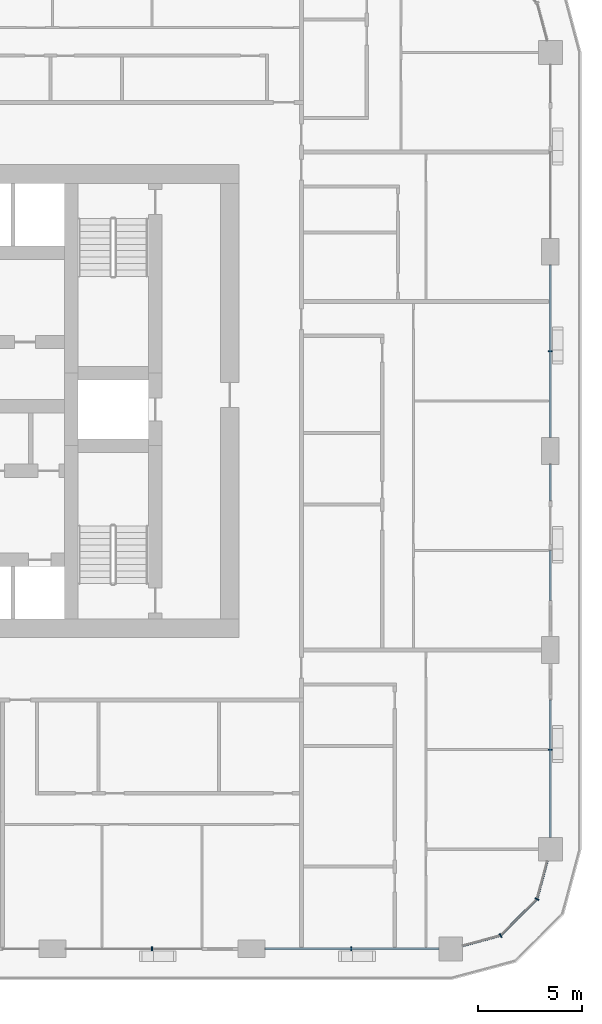
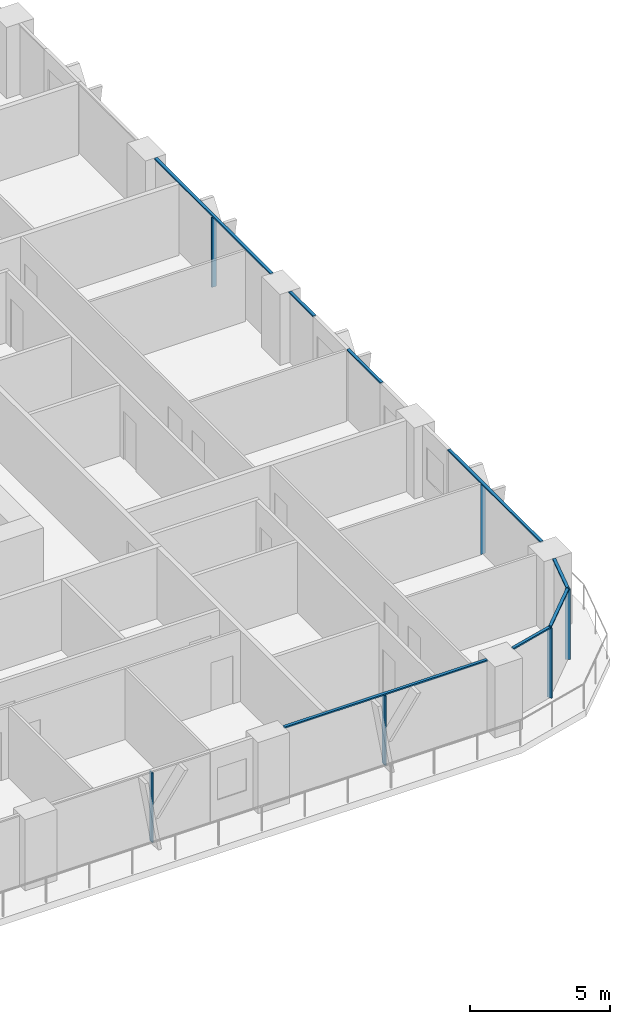
# One storey, part 4 of 21: 14 members, 6 elements without a shape of their own.
"""IFC4 building model written with IfcOpenShell, lengths in metres."""

from ifc_helpers import new_model, si_unit, direction, frame, origin, origin_2d, place, context, subcontext, project, spatial, rectangle, extrude, material, layer, layer_set, material_profile, profile_set, type_object, element, aggregate, save


model = new_model("IFC4")

# Units and contexts
model_context = context("Model", 3, precision=1e-05, world=origin(), true_north=direction((0.0, 1.0)))
body_context = subcontext(model_context, "Body", "Model", "MODEL_VIEW")
ifc_project = project(units=[si_unit("LENGTHUNIT", "METRE"), si_unit("AREAUNIT", "SQUARE_METRE"), si_unit("VOLUMEUNIT", "CUBIC_METRE"), si_unit("PLANEANGLEUNIT", "RADIAN"), si_unit("MASSUNIT", "GRAM", prefix="KILO")], contexts=[model_context])

# Site, building, storey
site_placement = place(None, origin())
site = spatial("IfcSite", under=ifc_project, at=site_placement, CompositionType="ELEMENT")
building_placement = place(site_placement, origin())
building = spatial("IfcBuilding", under=site, at=building_placement, Name="Madar Terraces", CompositionType="ELEMENT")
storey_placement = place(building_placement, frame((0.0, 0.0, 80.300048828125)))
storey = spatial("IfcBuildingStorey", under=building, at=storey_placement, Name="L20", CompositionType="ELEMENT", Elevation=80.300048828125)

# Curtain wall, member
ifc_material_1 = material(Name="Glass, ceramic frit dark grey, with black aluminium frame", Category="aluminium")
ifc_layer = layer(ifc_material_1, 0.199951171875)
ifc_layer_set = layer_set([ifc_layer], Name="Facade curtain wall, fritted glass")
curtain_wall_type = type_object("IfcCurtainWallType", Name="Facade curtain wall, fritted glass", PredefinedType="NOTDEFINED", material=ifc_layer_set)
curtain_wall_1_placement = place(storey_placement, origin())
curtain_wall_1 = element("IfcCurtainWall", 1, at=curtain_wall_1_placement, inside=storey, type_object=curtain_wall_type, Name="Outer skin curtain wall south bay 4", PredefinedType="NOTDEFINED")
ifc_material_2 = material(Name="Aluminium, black anodised", Category="aluminium")
ifc_material_profile_1 = material_profile(ifc_material_2, rectangle(XDim=0.199951171875, YDim=0.06005859375, at=origin_2d()), Name="Facade mullion 60x200")
ifc_profile_set_1 = profile_set([ifc_material_profile_1], Name="Aluminium, black anodised")
member_type_1 = type_object("IfcMemberType", Name="Facade mullion 60x200", PredefinedType="MULLION", material=ifc_profile_set_1)
member_1_placement = place(storey_placement, frame((43.199951171875, 0.0, 0.0), z_axis=(0.0, 0.0, 1.0), x_axis=(0.0, 1.0, 0.0)))
member_1 = element("IfcMember", 2, at=member_1_placement, type_object=member_type_1, Name="Mullion 1", PredefinedType="MULLION", context=body_context, shape_type="SweptSolid", body=[
    extrude(rectangle(XDim=0.199951171875, YDim=0.06005859375, at=origin_2d()), origin(), (0.0, 0.0, 1.0), 3.0400390625),
])
aggregate(curtain_wall_1, [member_1])

curtain_wall_2_placement = place(storey_placement, origin())
curtain_wall_2 = element("IfcCurtainWall", 3, at=curtain_wall_2_placement, inside=storey, type_object=curtain_wall_type, Name="Outer skin curtain wall south bay 5", PredefinedType="NOTDEFINED")
member_2_placement = place(storey_placement, frame((52.800048828125, 0.0, 0.0), z_axis=(0.0, 0.0, 1.0), x_axis=(0.0, 1.0, 0.0)))
member_2 = element("IfcMember", 4, at=member_2_placement, type_object=member_type_1, Name="Mullion 1", PredefinedType="MULLION", context=body_context, shape_type="SweptSolid", body=[
    extrude(rectangle(XDim=0.199951171875, YDim=0.06005859375, at=origin_2d()), origin(), (0.0, 0.0, 1.0), 3.0400390625),
])

curtain_wall_3_placement = place(storey_placement, origin())
curtain_wall_3 = element("IfcCurtainWall", 5, at=curtain_wall_3_placement, inside=storey, type_object=curtain_wall_type, Name="Outer skin curtain wall east bay 1", PredefinedType="NOTDEFINED")
member_3_placement = place(storey_placement, frame((62.39990234375, 9.60009765625, 0.0), z_axis=(0.0, 0.0, 1.0), x_axis=(-1.0, 0.0, 0.0)))
member_3 = element("IfcMember", 6, at=member_3_placement, type_object=member_type_1, Name="Mullion 1", PredefinedType="MULLION", context=body_context, shape_type="SweptSolid", body=[
    extrude(rectangle(XDim=0.199951171875, YDim=0.06005859375, at=origin_2d()), origin(), (0.0, 0.0, 1.0), 3.0400390625),
])

curtain_wall_4_placement = place(storey_placement, origin())
curtain_wall_4 = element("IfcCurtainWall", 7, at=curtain_wall_4_placement, inside=storey, type_object=curtain_wall_type, Name="Outer skin curtain wall east bay 3", PredefinedType="NOTDEFINED")
member_4_placement = place(storey_placement, frame((62.39990234375, 28.800048828125, 0.0), z_axis=(0.0, 0.0, 1.0), x_axis=(-1.0, 0.0, 0.0)))
member_4 = element("IfcMember", 8, at=member_4_placement, type_object=member_type_1, Name="Mullion 1", PredefinedType="MULLION", context=body_context, shape_type="SweptSolid", body=[
    extrude(rectangle(XDim=0.199951171875, YDim=0.06005859375, at=origin_2d()), origin(), (0.0, 0.0, 1.0), 3.0400390625),
])

# Curtain wall, members
curtain_wall_5_placement = place(storey_placement, origin())
curtain_wall_5 = element("IfcCurtainWall", 9, at=curtain_wall_5_placement, inside=storey, type_object=curtain_wall_type, Name="Outer skin curtain wall south-east corner", PredefinedType="NOTDEFINED")
member_5_placement = place(storey_placement, frame((60.0, 0.64306640625, 0.0), z_axis=(0.0, 0.0, 1.0), x_axis=(-0.499999989586, 0.866025409797, 0.0)))
member_5 = element("IfcMember", 10, at=member_5_placement, type_object=member_type_1, Name="Mullion 1", PredefinedType="MULLION", context=body_context, shape_type="SweptSolid", body=[
    extrude(rectangle(XDim=0.199951171875, YDim=0.06005859375, at=origin_2d()), origin(), (0.0, 0.0, 1.0), 3.0400390625),
])
member_6_placement = place(storey_placement, frame((61.7568359375, 2.39990234375, 0.0), z_axis=(0.0, 0.0, 1.0), x_axis=(-0.866025409797, 0.499999989586, 0.0)))
member_6 = element("IfcMember", 11, at=member_6_placement, type_object=member_type_1, Name="Mullion 2", PredefinedType="MULLION", context=body_context, shape_type="SweptSolid", body=[
    extrude(rectangle(XDim=0.199951171875, YDim=0.06005859375, at=origin_2d()), origin(), (0.0, 0.0, 1.0), 3.0400390625),
])

# Member
ifc_material_3 = material(Name="Aluminium, black anodised", Category="aluminium")
ifc_material_profile_2 = material_profile(ifc_material_3, rectangle(XDim=0.1201171875, YDim=0.06005859375, at=origin_2d()), Name="Facade transom 60x120")
ifc_profile_set_2 = profile_set([ifc_material_profile_2], Name="Aluminium, black anodised")
member_type_2 = type_object("IfcMemberType", Name="Facade transom 60x120", PredefinedType="USERDEFINED", material=ifc_profile_set_2)
member_7_placement = place(storey_placement, frame((48.64990234375, 0.0, 3.070068359375), z_axis=(1.0, 0.0, 0.0), x_axis=(0.0, 1.0, 0.0)))
member_7 = element("IfcMember", 12, at=member_7_placement, type_object=member_type_2, Name="Transom 1", ObjectType="TRANSOM", PredefinedType="USERDEFINED", context=body_context, shape_type="SweptSolid", body=[
    extrude(rectangle(XDim=0.1201171875, YDim=0.06005859375, at=origin_2d()), origin(), (0.0, 0.0, 1.0), 8.375),
])

aggregate(curtain_wall_2, [member_2, member_7])

member_8_placement = place(storey_placement, frame((62.39990234375, 5.375, 3.070068359375), z_axis=(0.0, 1.0, 0.0), x_axis=(-1.0, 0.0, 0.0)))
member_8 = element("IfcMember", 13, at=member_8_placement, type_object=member_type_2, Name="Transom 1", ObjectType="TRANSOM", PredefinedType="USERDEFINED", context=body_context, shape_type="SweptSolid", body=[
    extrude(rectangle(XDim=0.1201171875, YDim=0.06005859375, at=origin_2d()), origin(), (0.0, 0.0, 1.0), 6.625),
])

aggregate(curtain_wall_3, [member_3, member_8])

# Curtain wall, members
curtain_wall_6_placement = place(storey_placement, origin())
curtain_wall_6 = element("IfcCurtainWall", 14, at=curtain_wall_6_placement, inside=storey, type_object=curtain_wall_type, Name="Outer skin curtain wall east bay 2", PredefinedType="NOTDEFINED")
member_9_placement = place(storey_placement, frame((62.39990234375, 16.800048828125, 3.070068359375), z_axis=(0.0, 1.0, 0.0), x_axis=(-1.0, 0.0, 0.0)))
member_9 = element("IfcMember", 15, at=member_9_placement, type_object=member_type_2, Name="Transom 1", ObjectType="TRANSOM", PredefinedType="USERDEFINED", context=body_context, shape_type="SweptSolid", body=[
    extrude(rectangle(XDim=0.1201171875, YDim=0.06005859375, at=origin_2d()), origin(), (0.0, 0.0, 1.0), 2.39990234375),
])
member_10_placement = place(storey_placement, frame((62.39990234375, 21.60009765625, 3.070068359375), z_axis=(0.0, 1.0, 0.0), x_axis=(-1.0, 0.0, 0.0)))
member_10 = element("IfcMember", 16, at=member_10_placement, type_object=member_type_2, Name="Transom 2", ObjectType="TRANSOM", PredefinedType="USERDEFINED", context=body_context, shape_type="SweptSolid", body=[
    extrude(rectangle(XDim=0.1201171875, YDim=0.06005859375, at=origin_2d()), origin(), (0.0, 0.0, 1.0), 1.75),
])
aggregate(curtain_wall_6, [member_9, member_10])

# Member
member_11_placement = place(storey_placement, frame((62.39990234375, 24.64990234375, 3.070068359375), z_axis=(0.0, 1.0, 0.0), x_axis=(-1.0, 0.0, 0.0)))
member_11 = element("IfcMember", 17, at=member_11_placement, type_object=member_type_2, Name="Transom 1", ObjectType="TRANSOM", PredefinedType="USERDEFINED", context=body_context, shape_type="SweptSolid", body=[
    extrude(rectangle(XDim=0.1201171875, YDim=0.06005859375, at=origin_2d()), origin(), (0.0, 0.0, 1.0), 8.300048828125),
])

aggregate(curtain_wall_4, [member_4, member_11])

member_12_placement = place(storey_placement, frame((58.175048828125, 0.154052734375, 3.070068359375), z_axis=(0.965926950947, 0.258814847786, 0.0), x_axis=(-0.258814847786, 0.965926950947, 0.0)))
member_12 = element("IfcMember", 18, at=member_12_placement, type_object=member_type_2, Name="Transom 1", ObjectType="TRANSOM", PredefinedType="USERDEFINED", context=body_context, shape_type="SweptSolid", body=[
    extrude(rectangle(XDim=0.1201171875, YDim=0.06005859375, at=origin_2d()), origin(), (0.0, 0.0, 1.0), 1.859130859375),
])

member_13_placement = place(storey_placement, frame((60.021240234375, 0.664306640625, 3.070068359375), z_axis=(0.707056433593, 0.707157125196, 0.0), x_axis=(-0.707157125196, 0.707056433593, 0.0)))
member_13 = element("IfcMember", 19, at=member_13_placement, type_object=member_type_2, Name="Transom 2", ObjectType="TRANSOM", PredefinedType="USERDEFINED", context=body_context, shape_type="SweptSolid", body=[
    extrude(rectangle(XDim=0.1201171875, YDim=0.06005859375, at=origin_2d()), origin(), (0.0, 0.0, 1.0), 2.424560546875),
])

member_14_placement = place(storey_placement, frame((61.7646484375, 2.428955078125, 3.070068359375), z_axis=(0.258782024434, 0.965935745187, 0.0), x_axis=(-0.965935745187, 0.258782024434, 0.0)))
member_14 = element("IfcMember", 20, at=member_14_placement, type_object=member_type_2, Name="Transom 3", ObjectType="TRANSOM", PredefinedType="USERDEFINED", context=body_context, shape_type="SweptSolid", body=[
    extrude(rectangle(XDim=0.1201171875, YDim=0.06005859375, at=origin_2d()), origin(), (0.0, 0.0, 1.0), 1.859375),
])

aggregate(curtain_wall_5, [member_5, member_12, member_6, member_13, member_14])

save(model, "model.ifc")
